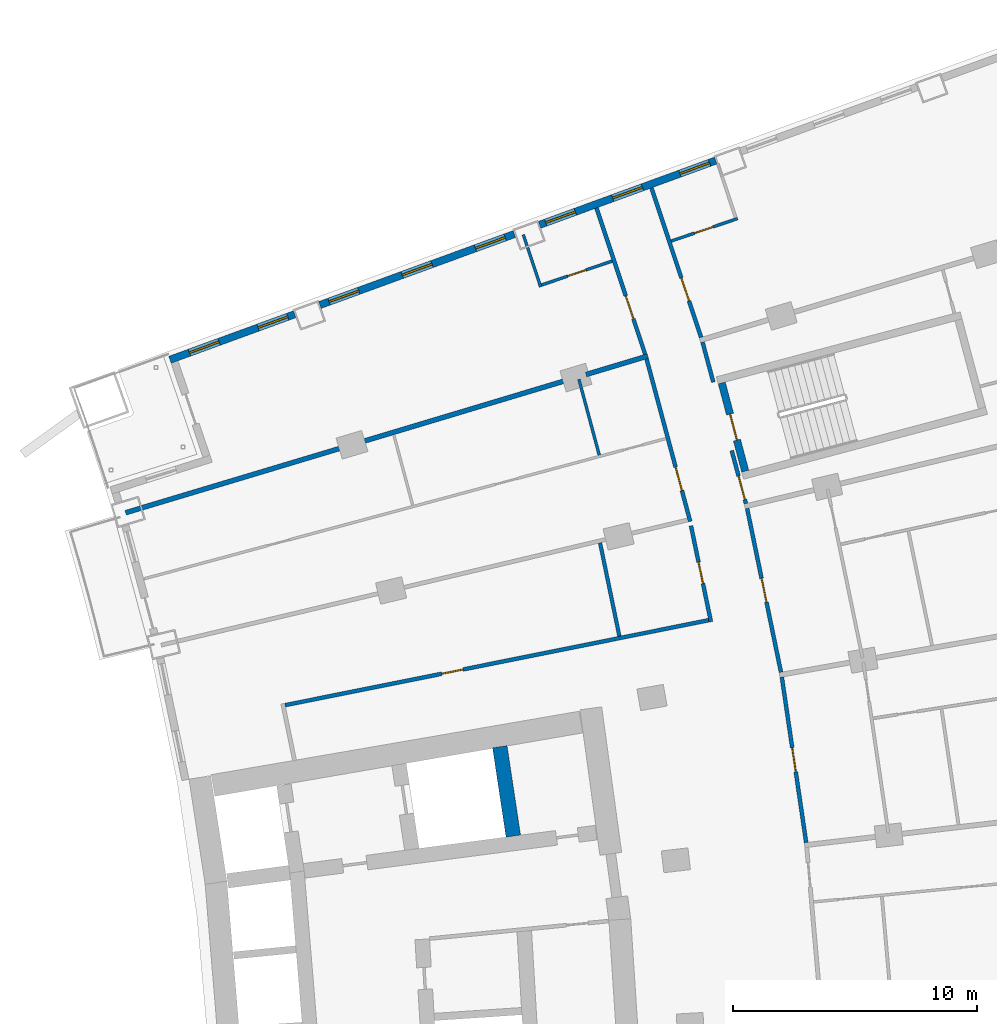
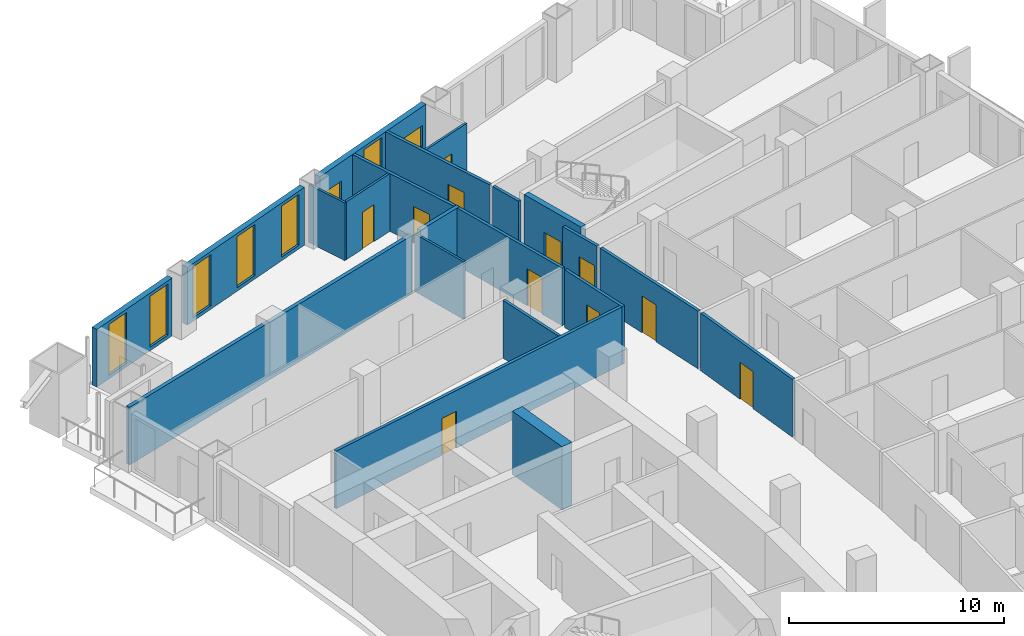
# One storey, part 19 of 25: 21 walls, 11 doors, 8 windows, 19 openings.
"""IFC4 building model written with IfcOpenShell, lengths in metres."""

from ifc_helpers import new_model, si_unit, direction, frame, frame_2d, origin, place, context, subcontext, project, spatial, rectangle, extrude, material, layer, layer_set, type_object, element, fill, save


model = new_model("IFC4")

# Units and contexts
model_context = context("Model", 3, precision=1e-05, world=origin(), true_north=direction((0.0, 1.0)))
body_context = subcontext(model_context, "Body", "Model", "MODEL_VIEW")
ifc_project = project(units=[si_unit("LENGTHUNIT", "METRE"), si_unit("AREAUNIT", "SQUARE_METRE"), si_unit("VOLUMEUNIT", "CUBIC_METRE"), si_unit("PLANEANGLEUNIT", "RADIAN"), si_unit("MASSUNIT", "GRAM", prefix="KILO")], contexts=[model_context])

# Site, building, storey
site_placement = place(None, origin())
site = spatial("IfcSite", under=ifc_project, at=site_placement, CompositionType="ELEMENT")
building_placement = place(site_placement, origin())
building = spatial("IfcBuilding", under=site, at=building_placement, Name="Alderwake Tower", CompositionType="ELEMENT")
storey_placement = place(building_placement, frame((0.0, 0.0, 68.0)))
storey = spatial("IfcBuildingStorey", under=building, at=storey_placement, Name="L16", CompositionType="ELEMENT", Elevation=68.0)

# Wall
ifc_material_1 = material(Name="Concrete C70/85", Category="concrete")
ifc_layer_1 = layer(ifc_material_1, 0.60009765625)
ifc_layer_set_1 = layer_set([ifc_layer_1], Name="Core wall spine 600 C70-85")
wall_type_1 = type_object("IfcWallType", Name="Core wall spine 600 C70-85", PredefinedType="SHEAR", material=ifc_layer_set_1)
wall_1_placement = place(storey_placement, frame((28.337646484375, 75.472412109375, 0.0), z_axis=(0.0, 0.0, 1.0), x_axis=(-0.149224787751, 0.988803298296, 0.0)))
element("IfcWall", 1, at=wall_1_placement, inside=storey, type_object=wall_type_1, Name="Core wall CW.001", PredefinedType="SHEAR", context=body_context, shape_type="SweptSolid", body=[
    extrude(rectangle(XDim=3.712158203125, YDim=0.60009765625, at=frame_2d((1.85595703125, 0.0))), origin(), (0.0, 0.0, 1.0), 3.60009765625),
])

# Wall, opening, door
ifc_material_2 = material(Name="Concrete C70/85", Category="concrete")
ifc_layer_2 = layer(ifc_material_2, 0.300048828125)
ifc_layer_set_2 = layer_set([ifc_layer_2], Name="Core wall stair enclosure 300 C70-85")
wall_type_2 = type_object("IfcWallType", Name="Core wall stair enclosure 300 C70-85", PredefinedType="SHEAR", material=ifc_layer_set_2)
wall_2_placement = place(storey_placement, frame((37.8603515625, 90.452392578125, 0.0), z_axis=(0.0, 0.0, 1.0), x_axis=(-0.257411420208, 0.966301899381, 0.0)))
wall_2 = element("IfcWall", 2, at=wall_2_placement, inside=storey, type_object=wall_type_2, Name="Core wall CW.083", PredefinedType="SHEAR", context=body_context, shape_type="SweptSolid", body=[
    extrude(rectangle(XDim=3.750244140625, YDim=0.300048828125, at=frame_2d((1.875, 0.0))), origin(), (0.0, 0.0, 1.0), 3.60009765625),
])
opening_1_placement = place(wall_2_placement, frame((1.324951171875, 0.0, 0.0)))
opening_1 = element("IfcOpeningElement", 3, at=opening_1_placement, cuts=wall_2, Name="Opening C062", PredefinedType="OPENING", context=body_context, shape_type="SweptSolid", body=[
    extrude(rectangle(XDim=1.10009765625, YDim=2.10009765625, at=frame_2d((0.550048828125, 1.050048828125))), frame((0.0, 0.159912109375, 0.0), z_axis=(0.0, -1.0, 0.0), x_axis=(1.0, 0.0, 0.0)), (0.0, 0.0, 1.0), 0.320068359375),
])
ifc_material_3 = material(Name="Steel-framed fire door leaf", Category="steel")
door_type_1 = type_object("IfcDoorType", Name="Core stair door 1100 fire-rated", OperationType="SINGLE_SWING_LEFT", PredefinedType="DOOR", material=ifc_material_3)
door_1_placement = place(opening_1_placement, origin())
door_1 = element("IfcDoor", 4, at=door_1_placement, inside=storey, type_object=door_type_1, Name="Stair door", OperationType="SINGLE_SWING_RIGHT", OverallHeight=2.10009765625, OverallWidth=1.10009765625, PredefinedType="DOOR", context=body_context, shape_type="SweptSolid", body=[
    extrude(rectangle(XDim=1.10009765625, YDim=2.10009765625, at=frame_2d((0.550048828125, 1.050048828125))), frame((0.0, 0.02490234375, 0.0), z_axis=(0.0, -1.0, 0.0), x_axis=(1.0, 0.0, 0.0)), (0.0, 0.0, 1.0), 0.050048828125),
])
fill(opening_1, door_1)

ifc_material_4 = material(Name="Gypsum board on metal studs, rated")
ifc_layer_3 = layer(ifc_material_4, 0.159912109375)
ifc_layer_set_3 = layer_set([ifc_layer_3], Name="Corridor wall 160")
wall_type_3 = type_object("IfcWallType", Name="Corridor wall 160", PredefinedType="PARTITIONING", material=ifc_layer_set_3)
wall_3_placement = place(storey_placement, frame((33.75146484375, 95.2548828125, 0.0), z_axis=(0.0, 0.0, 1.0), x_axis=(-0.315406156735, 0.948956772616, 0.0)))
wall_3 = element("IfcWall", 5, at=wall_3_placement, inside=storey, type_object=wall_type_3, Name="WL/L16/W21", PredefinedType="PARTITIONING", context=body_context, shape_type="SweptSolid", body=[
    extrude(rectangle(XDim=6.330078125, YDim=0.159912109375, at=frame_2d((3.1650390625, 0.0))), origin(), (0.0, 0.0, 1.0), 3.280029296875),
])
opening_2_placement = place(wall_3_placement, frame((1.529052734375, 0.0, 0.0)))
opening_2 = element("IfcOpeningElement", 6, at=opening_2_placement, cuts=wall_3, Name="Opening R04-U15.1", PredefinedType="OPENING", context=body_context, shape_type="SweptSolid", body=[
    extrude(rectangle(XDim=1.0, YDim=2.10009765625, at=frame_2d((0.5, 1.050048828125))), frame((0.0, 0.08984375, 0.0), z_axis=(0.0, -1.0, 0.0), x_axis=(1.0, 0.0, 0.0)), (0.0, 0.0, 1.0), 0.179931640625),
])
ifc_material_5 = material(Name="Solid timber leaf in steel frame", Category="steel")
door_type_2 = type_object("IfcDoorType", Name="Flat entrance door 1000 fire-rated", OperationType="SINGLE_SWING_LEFT", PredefinedType="DOOR", material=ifc_material_5)
door_2_placement = place(opening_2_placement, origin())
door_2 = element("IfcDoor", 7, at=door_2_placement, inside=storey, type_object=door_type_2, Name="DR/L16/U15.1", OperationType="SINGLE_SWING_LEFT", OverallHeight=2.10009765625, OverallWidth=1.0, PredefinedType="DOOR", context=body_context, shape_type="SweptSolid", body=[
    extrude(rectangle(XDim=1.0, YDim=2.10009765625, at=frame_2d((0.5, 1.050048828125))), frame((0.0, 0.02490234375, 0.0), z_axis=(0.0, -1.0, 0.0), x_axis=(1.0, 0.0, 0.0)), (0.0, 0.0, 1.0), 0.050048828125),
])
fill(opening_2, door_2)

wall_4_placement = place(storey_placement, frame((35.600830078125, 88.392578125, 0.0), z_axis=(0.0, 0.0, 1.0), x_axis=(-0.2593979597, 0.965770520622, 0.0)))
wall_4 = element("IfcWall", 8, at=wall_4_placement, inside=storey, type_object=wall_type_3, Name="WL/L16/W23", PredefinedType="PARTITIONING", context=body_context, shape_type="SweptSolid", body=[
    extrude(rectangle(XDim=6.9072265625, YDim=0.159912109375, at=frame_2d((3.45361328125, 0.0))), origin(), (0.0, 0.0, 1.0), 3.280029296875),
])
opening_3_placement = place(wall_4_placement, frame((1.311279296875, 0.0, 0.0)))
opening_3 = element("IfcOpeningElement", 9, at=opening_3_placement, cuts=wall_4, Name="Opening R04-U14.2", PredefinedType="OPENING", context=body_context, shape_type="SweptSolid", body=[
    extrude(rectangle(XDim=1.0, YDim=2.10009765625, at=frame_2d((0.5, 1.050048828125))), frame((0.0, 0.08984375, 0.0), z_axis=(0.0, -1.0, 0.0), x_axis=(1.0, 0.0, 0.0)), (0.0, 0.0, 1.0), 0.179931640625),
])
door_3_placement = place(opening_3_placement, origin())
door_3 = element("IfcDoor", 10, at=door_3_placement, inside=storey, type_object=door_type_2, Name="DR/L16/U14.2", OperationType="SINGLE_SWING_LEFT", OverallHeight=2.10009765625, OverallWidth=1.0, PredefinedType="DOOR", context=body_context, shape_type="SweptSolid", body=[
    extrude(rectangle(XDim=1.0, YDim=2.10009765625, at=frame_2d((0.5, 1.050048828125))), frame((0.0, 0.02490234375, 0.0), z_axis=(0.0, -1.0, 0.0), x_axis=(1.0, 0.0, 0.0)), (0.0, 0.0, 1.0), 0.050048828125),
])
fill(opening_3, door_3)

wall_5_placement = place(storey_placement, frame((36.451416015625, 84.272705078125, 0.0), z_axis=(0.0, 0.0, 1.0), x_axis=(-0.203258199701, 0.979125172924, 0.0)))
wall_5 = element("IfcWall", 11, at=wall_5_placement, inside=storey, type_object=wall_type_3, Name="WL/L16/W27", PredefinedType="PARTITIONING", context=body_context, shape_type="SweptSolid", body=[
    extrude(rectangle(XDim=4.020263671875, YDim=0.159912109375, at=frame_2d((2.01025390625, 0.0))), origin(), (0.0, 0.0, 1.0), 3.280029296875),
])
opening_4_placement = place(wall_5_placement, frame((1.599609375, 0.0, 0.0)))
opening_4 = element("IfcOpeningElement", 12, at=opening_4_placement, cuts=wall_5, Name="Opening R04-SBN2", PredefinedType="OPENING", context=body_context, shape_type="SweptSolid", body=[
    extrude(rectangle(XDim=0.89990234375, YDim=2.10009765625, at=frame_2d((0.449951171875, 1.050048828125))), frame((0.0, 0.08984375, 0.0), z_axis=(0.0, -1.0, 0.0), x_axis=(1.0, 0.0, 0.0)), (0.0, 0.0, 1.0), 0.179931640625),
])
ifc_material_6 = material(Name="Painted timber leaf", Category="wood")
door_type_3 = type_object("IfcDoorType", Name="Room door 900", OperationType="SINGLE_SWING_LEFT", PredefinedType="DOOR", material=ifc_material_6)
door_4_placement = place(opening_4_placement, origin())
door_4 = element("IfcDoor", 13, at=door_4_placement, inside=storey, type_object=door_type_3, Name="DR/L16/SBN2", OperationType="SINGLE_SWING_LEFT", OverallHeight=2.10009765625, OverallWidth=0.89990234375, PredefinedType="DOOR", context=body_context, shape_type="SweptSolid", body=[
    extrude(rectangle(XDim=0.89990234375, YDim=2.10009765625, at=frame_2d((0.449951171875, 1.050048828125))), frame((0.0, 0.02490234375, 0.0), z_axis=(0.0, -1.0, 0.0), x_axis=(1.0, 0.0, 0.0)), (0.0, 0.0, 1.0), 0.050048828125),
])
fill(opening_4, door_4)

wall_6_placement = place(storey_placement, frame((34.010986328125, 102.083984375, 0.0), z_axis=(0.0, 0.0, 1.0), x_axis=(0.315140606423, -0.949044992708, 0.0)))
wall_6 = element("IfcWall", 14, at=wall_6_placement, inside=storey, type_object=wall_type_3, Name="WL/L16/W29", PredefinedType="PARTITIONING", context=body_context, shape_type="SweptSolid", body=[
    extrude(rectangle(XDim=6.46875, YDim=0.159912109375, at=frame_2d((3.234375, 0.0))), origin(), (0.0, 0.0, 1.0), 3.280029296875),
])
opening_5_placement = place(wall_6_placement, frame((3.897705078125, 0.0, 0.0)))
opening_5 = element("IfcOpeningElement", 15, at=opening_5_placement, cuts=wall_6, Name="Opening R04-U04.1", PredefinedType="OPENING", context=body_context, shape_type="SweptSolid", body=[
    extrude(rectangle(XDim=1.0, YDim=2.10009765625, at=frame_2d((0.5, 1.050048828125))), frame((0.0, 0.08984375, 0.0), z_axis=(0.0, -1.0, 0.0), x_axis=(1.0, 0.0, 0.0)), (0.0, 0.0, 1.0), 0.179931640625),
])
door_5_placement = place(opening_5_placement, origin())
door_5 = element("IfcDoor", 16, at=door_5_placement, inside=storey, type_object=door_type_2, Name="DR/L16/U04.1", OperationType="SINGLE_SWING_LEFT", OverallHeight=2.10009765625, OverallWidth=1.0, PredefinedType="DOOR", context=body_context, shape_type="SweptSolid", body=[
    extrude(rectangle(XDim=1.0, YDim=2.10009765625, at=frame_2d((0.5, 1.050048828125))), frame((0.0, 0.02490234375, 0.0), z_axis=(0.0, -1.0, 0.0), x_axis=(1.0, 0.0, 0.0)), (0.0, 0.0, 1.0), 0.050048828125),
])
fill(opening_5, door_5)

wall_7_placement = place(storey_placement, frame((18.969482421875, 80.84765625, 0.0), z_axis=(0.0, 0.0, 1.0), x_axis=(0.980470914622, 0.196664144112, 0.0)))
wall_7 = element("IfcWall", 17, at=wall_7_placement, inside=storey, type_object=wall_type_3, Name="WL/L16/W31", PredefinedType="PARTITIONING", context=body_context, shape_type="SweptSolid", body=[
    extrude(rectangle(XDim=17.733642578125, YDim=0.159912109375, at=frame_2d((8.86669921875, 0.0))), origin(), (0.0, 0.0, 1.0), 3.280029296875),
])
opening_6_placement = place(wall_7_placement, frame((6.556884765625, 0.0, 0.0)))
opening_6 = element("IfcOpeningElement", 18, at=opening_6_placement, cuts=wall_7, Name="Opening R04-SBN1", PredefinedType="OPENING", context=body_context, shape_type="SweptSolid", body=[
    extrude(rectangle(XDim=0.89990234375, YDim=2.10009765625, at=frame_2d((0.449951171875, 1.050048828125))), frame((0.0, 0.08984375, 0.0), z_axis=(0.0, -1.0, 0.0), x_axis=(1.0, 0.0, 0.0)), (0.0, 0.0, 1.0), 0.179931640625),
])
door_6_placement = place(opening_6_placement, origin())
door_6 = element("IfcDoor", 19, at=door_6_placement, inside=storey, type_object=door_type_3, Name="DR/L16/SBN1", OperationType="SINGLE_SWING_LEFT", OverallHeight=2.10009765625, OverallWidth=0.89990234375, PredefinedType="DOOR", context=body_context, shape_type="SweptSolid", body=[
    extrude(rectangle(XDim=0.89990234375, YDim=2.10009765625, at=frame_2d((0.449951171875, 1.050048828125))), frame((0.0, 0.02490234375, 0.0), z_axis=(0.0, -1.0, 0.0), x_axis=(1.0, 0.0, 0.0)), (0.0, 0.0, 1.0), 0.050048828125),
])
fill(opening_6, door_6)

# Wall
wall_8_placement = place(storey_placement, frame((36.549072265625, 94.110107421875, 0.0), z_axis=(0.0, 0.0, 1.0), x_axis=(-0.259813977097, 0.965658685719, 0.0)))
element("IfcWall", 20, at=wall_8_placement, inside=storey, type_object=wall_type_3, Name="WL/L16/W32", PredefinedType="PARTITIONING", context=body_context, shape_type="SweptSolid", body=[
    extrude(rectangle(XDim=1.70166015625, YDim=0.159912109375, at=frame_2d((0.850830078125, 0.0))), origin(), (0.0, 0.0, 1.0), 3.280029296875),
])

# Wall, opening, door
wall_9_placement = place(storey_placement, frame((37.304931640625, 91.299072265625, 0.0), z_axis=(0.0, 0.0, 1.0), x_axis=(0.259946294884, -0.965623075416, 0.0)))
wall_9 = element("IfcWall", 21, at=wall_9_placement, inside=storey, type_object=wall_type_3, Name="WL/L16/W35", PredefinedType="PARTITIONING", context=body_context, shape_type="SweptSolid", body=[
    extrude(rectangle(XDim=2.255126953125, YDim=0.159912109375, at=frame_2d((1.12744140625, 0.0))), origin(), (0.0, 0.0, 1.0), 3.280029296875),
])
opening_7_placement = place(wall_9_placement, frame((1.083984375, 0.0, 0.0)))
opening_7 = element("IfcOpeningElement", 22, at=opening_7_placement, cuts=wall_9, Name="Opening R04-U02.1", PredefinedType="OPENING", context=body_context, shape_type="SweptSolid", body=[
    extrude(rectangle(XDim=1.0, YDim=2.10009765625, at=frame_2d((0.5, 1.050048828125))), frame((0.0, 0.08984375, 0.0), z_axis=(0.0, -1.0, 0.0), x_axis=(1.0, 0.0, 0.0)), (0.0, 0.0, 1.0), 0.179931640625),
])
door_7_placement = place(opening_7_placement, origin())
door_7 = element("IfcDoor", 23, at=door_7_placement, inside=storey, type_object=door_type_2, Name="DR/L16/U02.1", OperationType="SINGLE_SWING_LEFT", OverallHeight=2.10009765625, OverallWidth=1.0, PredefinedType="DOOR", context=body_context, shape_type="SweptSolid", body=[
    extrude(rectangle(XDim=1.0, YDim=2.10009765625, at=frame_2d((0.5, 1.050048828125))), frame((0.0, 0.02490234375, 0.0), z_axis=(0.0, -1.0, 0.0), x_axis=(1.0, 0.0, 0.0)), (0.0, 0.0, 1.0), 0.050048828125),
])
fill(opening_7, door_7)

wall_10_placement = place(storey_placement, frame((37.937255859375, 88.927001953125, 0.0), z_axis=(0.0, 0.0, 1.0), x_axis=(0.20241288737, -0.979300272147, 0.0)))
wall_10 = element("IfcWall", 24, at=wall_10_placement, inside=storey, type_object=wall_type_3, Name="WL/L16/W37", PredefinedType="PARTITIONING", context=body_context, shape_type="SweptSolid", body=[
    extrude(rectangle(XDim=6.870361328125, YDim=0.159912109375, at=frame_2d((3.43505859375, 0.0))), origin(), (0.0, 0.0, 1.0), 3.280029296875),
])
opening_8_placement = place(wall_10_placement, frame((2.93505859375, 0.0, 0.0)))
opening_8 = element("IfcOpeningElement", 25, at=opening_8_placement, cuts=wall_10, Name="Opening R04-U11.2", PredefinedType="OPENING", context=body_context, shape_type="SweptSolid", body=[
    extrude(rectangle(XDim=1.0, YDim=2.10009765625, at=frame_2d((0.5, 1.050048828125))), frame((0.0, 0.08984375, 0.0), z_axis=(0.0, -1.0, 0.0), x_axis=(1.0, 0.0, 0.0)), (0.0, 0.0, 1.0), 0.179931640625),
])
door_8_placement = place(opening_8_placement, origin())
door_8 = element("IfcDoor", 26, at=door_8_placement, inside=storey, type_object=door_type_2, Name="DR/L16/U11.2", OperationType="SINGLE_SWING_LEFT", OverallHeight=2.10009765625, OverallWidth=1.0, PredefinedType="DOOR", context=body_context, shape_type="SweptSolid", body=[
    extrude(rectangle(XDim=1.0, YDim=2.10009765625, at=frame_2d((0.5, 1.050048828125))), frame((0.0, 0.02490234375, 0.0), z_axis=(0.0, -1.0, 0.0), x_axis=(1.0, 0.0, 0.0)), (0.0, 0.0, 1.0), 0.050048828125),
])
fill(opening_8, door_8)

wall_11_placement = place(storey_placement, frame((39.362548828125, 82.001953125, 0.0), z_axis=(0.0, 0.0, 1.0), x_axis=(0.145565626222, -0.98934859805, 0.0)))
wall_11 = element("IfcWall", 27, at=wall_11_placement, inside=storey, type_object=wall_type_3, Name="WL/L16/W39", PredefinedType="PARTITIONING", context=body_context, shape_type="SweptSolid", body=[
    extrude(rectangle(XDim=6.8681640625, YDim=0.159912109375, at=frame_2d((3.43408203125, 0.0))), origin(), (0.0, 0.0, 1.0), 3.280029296875),
])
opening_9_placement = place(wall_11_placement, frame((2.93408203125, 0.0, 0.0)))
opening_9 = element("IfcOpeningElement", 28, at=opening_9_placement, cuts=wall_11, Name="Opening R04-U10.2", PredefinedType="OPENING", context=body_context, shape_type="SweptSolid", body=[
    extrude(rectangle(XDim=1.0, YDim=2.10009765625, at=frame_2d((0.5, 1.050048828125))), frame((0.0, 0.08984375, 0.0), z_axis=(0.0, -1.0, 0.0), x_axis=(1.0, 0.0, 0.0)), (0.0, 0.0, 1.0), 0.179931640625),
])
door_9_placement = place(opening_9_placement, origin())
door_9 = element("IfcDoor", 29, at=door_9_placement, inside=storey, type_object=door_type_2, Name="DR/L16/U10.2", OperationType="SINGLE_SWING_LEFT", OverallHeight=2.10009765625, OverallWidth=1.0, PredefinedType="DOOR", context=body_context, shape_type="SweptSolid", body=[
    extrude(rectangle(XDim=1.0, YDim=2.10009765625, at=frame_2d((0.5, 1.050048828125))), frame((0.0, 0.02490234375, 0.0), z_axis=(0.0, -1.0, 0.0), x_axis=(1.0, 0.0, 0.0)), (0.0, 0.0, 1.0), 0.050048828125),
])
fill(opening_9, door_9)

# Wall, openings, windows
ifc_material_7 = material(Name="Bronze metal cladding on lightweight framing")
ifc_layer_4 = layer(ifc_material_7, 0.300048828125)
ifc_layer_set_4 = layer_set([ifc_layer_4], Name="External wall EW2 bronze metal cladding")
wall_type_4 = type_object("IfcWallType", Name="External wall EW2 bronze metal cladding", PredefinedType="SOLIDWALL", material=ifc_layer_set_4)
wall_12_placement = place(storey_placement, frame((36.645751953125, 103.20654296875, 0.0), z_axis=(0.0, 0.0, 1.0), x_axis=(-0.93936753929, -0.342911980148, 0.0)))
wall_12 = element("IfcWall", 30, at=wall_12_placement, inside=storey, type_object=wall_type_4, Name="External wall 27", PredefinedType="SOLIDWALL", context=body_context, shape_type="SweptSolid", body=[
    extrude(rectangle(XDim=7.695556640625, YDim=0.300048828125, at=frame_2d((3.84765625, 0.0))), origin(), (0.0, 0.0, 1.0), 3.280029296875),
])
opening_10_placement = place(wall_12_placement, frame((0.264404296875, 0.0, 1.0)))
opening_10 = element("IfcOpeningElement", 31, at=opening_10_placement, cuts=wall_12, Name="Opening W2", PredefinedType="OPENING", context=body_context, shape_type="SweptSolid", body=[
    extrude(rectangle(XDim=1.300048828125, YDim=1.199951171875, at=frame_2d((0.64990234375, 0.60009765625))), frame((0.0, 0.159912109375, 0.0), z_axis=(0.0, -1.0, 0.0), x_axis=(1.0, 0.0, 0.0)), (0.0, 0.0, 1.0), 0.320068359375),
])
opening_11_placement = place(wall_12_placement, frame((3.197998046875, 0.0, 0.199951171875)))
opening_11 = element("IfcOpeningElement", 32, at=opening_11_placement, cuts=wall_12, Name="Opening W1", PredefinedType="OPENING", context=body_context, shape_type="SweptSolid", body=[
    extrude(rectangle(XDim=1.300048828125, YDim=2.89990234375, at=frame_2d((0.64990234375, 1.449951171875))), frame((0.0, 0.159912109375, 0.0), z_axis=(0.0, -1.0, 0.0), x_axis=(1.0, 0.0, 0.0)), (0.0, 0.0, 1.0), 0.320068359375),
])
opening_12_placement = place(wall_12_placement, frame((6.13134765625, 0.0, 1.0)))
opening_12 = element("IfcOpeningElement", 33, at=opening_12_placement, cuts=wall_12, Name="Opening W2", PredefinedType="OPENING", context=body_context, shape_type="SweptSolid", body=[
    extrude(rectangle(XDim=1.300048828125, YDim=1.199951171875, at=frame_2d((0.64990234375, 0.60009765625))), frame((0.0, 0.159912109375, 0.0), z_axis=(0.0, -1.0, 0.0), x_axis=(1.0, 0.0, 0.0)), (0.0, 0.0, 1.0), 0.320068359375),
])
ifc_material_8 = material(Name="Bronze tinted glass in aluminium frame", Category="aluminium")
window_type_1 = type_object("IfcWindowType", Name="Window W1 tall fixed and vent", PartitioningType="DOUBLE_PANEL_VERTICAL", PredefinedType="WINDOW", material=ifc_material_8)
window_1_placement = place(opening_11_placement, origin())
window_1 = element("IfcWindow", 34, at=window_1_placement, inside=storey, type_object=window_type_1, Name="Window W1 tall fixed and vent", OverallHeight=2.89990234375, OverallWidth=1.300048828125, PartitioningType="DOUBLE_PANEL_VERTICAL", PredefinedType="WINDOW", context=body_context, shape_type="SweptSolid", body=[
    extrude(rectangle(XDim=1.300048828125, YDim=2.89990234375, at=frame_2d((0.64990234375, 1.449951171875))), frame((0.0, 0.030029296875, 0.0), z_axis=(0.0, -1.0, 0.0), x_axis=(1.0, 0.0, 0.0)), (0.0, 0.0, 1.0), 0.06005859375),
])
fill(opening_11, window_1)
ifc_material_9 = material(Name="Bronze tinted glass in aluminium frame", Category="aluminium")
window_type_2 = type_object("IfcWindowType", Name="Window W2 kitchen and bath", PartitioningType="SINGLE_PANEL", PredefinedType="WINDOW", material=ifc_material_9)
window_2_placement = place(opening_10_placement, origin())
window_2 = element("IfcWindow", 35, at=window_2_placement, inside=storey, type_object=window_type_2, Name="Window W2 kitchen and bath", OverallHeight=1.199951171875, OverallWidth=1.300048828125, PartitioningType="SINGLE_PANEL", PredefinedType="WINDOW", context=body_context, shape_type="SweptSolid", body=[
    extrude(rectangle(XDim=1.300048828125, YDim=1.199951171875, at=frame_2d((0.64990234375, 0.60009765625))), frame((0.0, 0.030029296875, 0.0), z_axis=(0.0, -1.0, 0.0), x_axis=(1.0, 0.0, 0.0)), (0.0, 0.0, 1.0), 0.06005859375),
])
fill(opening_10, window_2)
window_3_placement = place(opening_12_placement, origin())
window_3 = element("IfcWindow", 36, at=window_3_placement, inside=storey, type_object=window_type_2, Name="Window W2 kitchen and bath", OverallHeight=1.199951171875, OverallWidth=1.300048828125, PartitioningType="SINGLE_PANEL", PredefinedType="WINDOW", context=body_context, shape_type="SweptSolid", body=[
    extrude(rectangle(XDim=1.300048828125, YDim=1.199951171875, at=frame_2d((0.64990234375, 0.60009765625))), frame((0.0, 0.030029296875, 0.0), z_axis=(0.0, -1.0, 0.0), x_axis=(1.0, 0.0, 0.0)), (0.0, 0.0, 1.0), 0.06005859375),
])
fill(opening_12, window_3)

wall_13_placement = place(storey_placement, frame((28.37890625, 100.18896484375, 0.0), z_axis=(0.0, 0.0, 1.0), x_axis=(-0.939369809957, -0.342905759856, 0.0)))
wall_13 = element("IfcWall", 37, at=wall_13_placement, inside=storey, type_object=wall_type_4, Name="External wall 28", PredefinedType="SOLIDWALL", context=body_context, shape_type="SweptSolid", body=[
    extrude(rectangle(XDim=8.495361328125, YDim=0.300048828125, at=frame_2d((4.24755859375, 0.0))), origin(), (0.0, 0.0, 1.0), 3.280029296875),
])
opening_13_placement = place(wall_13_placement, frame((0.397705078125, 0.0, 0.199951171875)))
opening_13 = element("IfcOpeningElement", 38, at=opening_13_placement, cuts=wall_13, Name="Opening W1", PredefinedType="OPENING", context=body_context, shape_type="SweptSolid", body=[
    extrude(rectangle(XDim=1.300048828125, YDim=2.89990234375, at=frame_2d((0.64990234375, 1.449951171875))), frame((0.0, 0.159912109375, 0.0), z_axis=(0.0, -1.0, 0.0), x_axis=(1.0, 0.0, 0.0)), (0.0, 0.0, 1.0), 0.320068359375),
])
opening_14_placement = place(wall_13_placement, frame((3.59765625, 0.0, 0.199951171875)))
opening_14 = element("IfcOpeningElement", 39, at=opening_14_placement, cuts=wall_13, Name="Opening W1", PredefinedType="OPENING", context=body_context, shape_type="SweptSolid", body=[
    extrude(rectangle(XDim=1.300048828125, YDim=2.89990234375, at=frame_2d((0.64990234375, 1.449951171875))), frame((0.0, 0.159912109375, 0.0), z_axis=(0.0, -1.0, 0.0), x_axis=(1.0, 0.0, 0.0)), (0.0, 0.0, 1.0), 0.320068359375),
])
opening_15_placement = place(wall_13_placement, frame((6.7978515625, 0.0, 0.199951171875)))
opening_15 = element("IfcOpeningElement", 40, at=opening_15_placement, cuts=wall_13, Name="Opening W1", PredefinedType="OPENING", context=body_context, shape_type="SweptSolid", body=[
    extrude(rectangle(XDim=1.300048828125, YDim=2.89990234375, at=frame_2d((0.64990234375, 1.449951171875))), frame((0.0, 0.159912109375, 0.0), z_axis=(0.0, -1.0, 0.0), x_axis=(1.0, 0.0, 0.0)), (0.0, 0.0, 1.0), 0.320068359375),
])
window_4_placement = place(opening_13_placement, origin())
window_4 = element("IfcWindow", 41, at=window_4_placement, inside=storey, type_object=window_type_1, Name="Window W1 tall fixed and vent", OverallHeight=2.89990234375, OverallWidth=1.300048828125, PartitioningType="DOUBLE_PANEL_VERTICAL", PredefinedType="WINDOW", context=body_context, shape_type="SweptSolid", body=[
    extrude(rectangle(XDim=1.300048828125, YDim=2.89990234375, at=frame_2d((0.64990234375, 1.449951171875))), frame((0.0, 0.030029296875, 0.0), z_axis=(0.0, -1.0, 0.0), x_axis=(1.0, 0.0, 0.0)), (0.0, 0.0, 1.0), 0.06005859375),
])
fill(opening_13, window_4)
window_5_placement = place(opening_14_placement, origin())
window_5 = element("IfcWindow", 42, at=window_5_placement, inside=storey, type_object=window_type_1, Name="Window W1 tall fixed and vent", OverallHeight=2.89990234375, OverallWidth=1.300048828125, PartitioningType="DOUBLE_PANEL_VERTICAL", PredefinedType="WINDOW", context=body_context, shape_type="SweptSolid", body=[
    extrude(rectangle(XDim=1.300048828125, YDim=2.89990234375, at=frame_2d((0.64990234375, 1.449951171875))), frame((0.0, 0.030029296875, 0.0), z_axis=(0.0, -1.0, 0.0), x_axis=(1.0, 0.0, 0.0)), (0.0, 0.0, 1.0), 0.06005859375),
])
fill(opening_14, window_5)
window_6_placement = place(opening_15_placement, origin())
window_6 = element("IfcWindow", 43, at=window_6_placement, inside=storey, type_object=window_type_1, Name="Window W1 tall fixed and vent", OverallHeight=2.89990234375, OverallWidth=1.300048828125, PartitioningType="DOUBLE_PANEL_VERTICAL", PredefinedType="WINDOW", context=body_context, shape_type="SweptSolid", body=[
    extrude(rectangle(XDim=1.300048828125, YDim=2.89990234375, at=frame_2d((0.64990234375, 1.449951171875))), frame((0.0, 0.030029296875, 0.0), z_axis=(0.0, -1.0, 0.0), x_axis=(1.0, 0.0, 0.0)), (0.0, 0.0, 1.0), 0.06005859375),
])
fill(opening_15, window_6)

wall_14_placement = place(storey_placement, frame((19.360595703125, 96.89697265625, 0.0), z_axis=(0.0, 0.0, 1.0), x_axis=(-0.939360985368, -0.342929933321, 0.0)))
wall_14 = element("IfcWall", 44, at=wall_14_placement, inside=storey, type_object=wall_type_4, Name="External wall 29", PredefinedType="SOLIDWALL", context=body_context, shape_type="SweptSolid", body=[
    extrude(rectangle(XDim=5.448974609375, YDim=0.300048828125, at=frame_2d((2.724609375, 0.0))), origin(), (0.0, 0.0, 1.0), 3.280029296875),
])
opening_16_placement = place(wall_14_placement, frame((0.2978515625, 0.0, 0.199951171875)))
opening_16 = element("IfcOpeningElement", 45, at=opening_16_placement, cuts=wall_14, Name="Opening W1", PredefinedType="OPENING", context=body_context, shape_type="SweptSolid", body=[
    extrude(rectangle(XDim=1.300048828125, YDim=2.89990234375, at=frame_2d((0.64990234375, 1.449951171875))), frame((0.0, 0.159912109375, 0.0), z_axis=(0.0, -1.0, 0.0), x_axis=(1.0, 0.0, 0.0)), (0.0, 0.0, 1.0), 0.320068359375),
])
opening_17_placement = place(wall_14_placement, frame((3.298583984375, 0.0, 0.199951171875)))
opening_17 = element("IfcOpeningElement", 46, at=opening_17_placement, cuts=wall_14, Name="Opening W1", PredefinedType="OPENING", context=body_context, shape_type="SweptSolid", body=[
    extrude(rectangle(XDim=1.300048828125, YDim=2.89990234375, at=frame_2d((0.64990234375, 1.449951171875))), frame((0.0, 0.159912109375, 0.0), z_axis=(0.0, -1.0, 0.0), x_axis=(1.0, 0.0, 0.0)), (0.0, 0.0, 1.0), 0.320068359375),
])
window_7_placement = place(opening_16_placement, origin())
window_7 = element("IfcWindow", 47, at=window_7_placement, inside=storey, type_object=window_type_1, Name="Window W1 tall fixed and vent", OverallHeight=2.89990234375, OverallWidth=1.300048828125, PartitioningType="DOUBLE_PANEL_VERTICAL", PredefinedType="WINDOW", context=body_context, shape_type="SweptSolid", body=[
    extrude(rectangle(XDim=1.300048828125, YDim=2.89990234375, at=frame_2d((0.64990234375, 1.449951171875))), frame((0.0, 0.030029296875, 0.0), z_axis=(0.0, -1.0, 0.0), x_axis=(1.0, 0.0, 0.0)), (0.0, 0.0, 1.0), 0.06005859375),
])
fill(opening_16, window_7)
window_8_placement = place(opening_17_placement, origin())
window_8 = element("IfcWindow", 48, at=window_8_placement, inside=storey, type_object=window_type_1, Name="Window W1 tall fixed and vent", OverallHeight=2.89990234375, OverallWidth=1.300048828125, PartitioningType="DOUBLE_PANEL_VERTICAL", PredefinedType="WINDOW", context=body_context, shape_type="SweptSolid", body=[
    extrude(rectangle(XDim=1.300048828125, YDim=2.89990234375, at=frame_2d((0.64990234375, 1.449951171875))), frame((0.0, 0.030029296875, 0.0), z_axis=(0.0, -1.0, 0.0), x_axis=(1.0, 0.0, 0.0)), (0.0, 0.0, 1.0), 0.06005859375),
])
fill(opening_17, window_8)

# Walls
ifc_material_10 = material(Name="Dense block masonry wall", Category="masonry")
ifc_layer_5 = layer(ifc_material_10, 0.199951171875)
ifc_layer_set_5 = layer_set([ifc_layer_5], Name="Party wall 200")
wall_type_5 = type_object("IfcWallType", Name="Party wall 200", PredefinedType="SOLIDWALL", material=ifc_layer_set_5)
wall_15_placement = place(storey_placement, frame((30.812744140625, 94.270751953125, 0.0), z_axis=(0.0, 0.0, 1.0), x_axis=(-0.957756965565, -0.287578849904, 0.0)))
element("IfcWall", 49, at=wall_15_placement, inside=storey, type_object=wall_type_5, Name="WL/L16/W01", PredefinedType="SOLIDWALL", context=body_context, shape_type="SweptSolid", body=[
    extrude(rectangle(XDim=19.20068359375, YDim=0.199951171875, at=frame_2d((9.600341796875, 0.0))), origin(), (0.0, 0.0, 1.0), 3.280029296875),
])
wall_16_placement = place(storey_placement, frame((33.859619140625, 95.18310546875, 0.0), z_axis=(0.0, 0.0, 1.0), x_axis=(-0.957762803886, -0.287559405153, 0.0)))
element("IfcWall", 50, at=wall_16_placement, inside=storey, type_object=wall_type_5, Name="WL/L16/W04", PredefinedType="SOLIDWALL", context=body_context, shape_type="SweptSolid", body=[
    extrude(rectangle(XDim=2.647216796875, YDim=0.199951171875, at=frame_2d((1.32373046875, 0.0))), origin(), (0.0, 0.0, 1.0), 3.280029296875),
])
ifc_material_11 = material(Name="Gypsum shaft wall system, rated")
ifc_layer_6 = layer(ifc_material_11, 0.14990234375)
ifc_layer_set_6 = layer_set([ifc_layer_6], Name="Riser and shaft wall 150")
wall_type_6 = type_object("IfcWallType", Name="Riser and shaft wall 150", PredefinedType="PARTITIONING", material=ifc_layer_set_6)
wall_17_placement = place(storey_placement, frame((32.69287109375, 83.682373046875, 0.0), z_axis=(0.0, 0.0, 1.0), x_axis=(-0.20266545775, 0.979248034073, 0.0)))
element("IfcWall", 51, at=wall_17_placement, inside=storey, type_object=wall_type_6, Name="WL/L16/W16", PredefinedType="PARTITIONING", context=body_context, shape_type="SweptSolid", body=[
    extrude(rectangle(XDim=3.911376953125, YDim=0.14990234375, at=frame_2d((1.95556640625, 0.0))), origin(), (0.0, 0.0, 1.0), 3.280029296875),
])
ifc_material_12 = material(Name="Moisture resistant gypsum board on metal studs")
ifc_layer_7 = layer(ifc_material_12, 0.1201171875)
ifc_layer_set_7 = layer_set([ifc_layer_7], Name="Wet room partition 120")
wall_type_7 = type_object("IfcWallType", Name="Wet room partition 120", PredefinedType="PARTITIONING", material=ifc_layer_set_7)
wall_18_placement = place(storey_placement, frame((28.7490234375, 100.1640625, 0.0), z_axis=(0.0, 0.0, 1.0), x_axis=(0.315416394236, -0.948953369901, 0.0)))
element("IfcWall", 52, at=wall_18_placement, inside=storey, type_object=wall_type_7, Name="WL/L16/W44", PredefinedType="PARTITIONING", context=body_context, shape_type="SweptSolid", body=[
    extrude(rectangle(XDim=2.257080078125, YDim=0.1201171875, at=frame_2d((1.12841796875, 0.0))), origin(), (0.0, 0.0, 1.0), 3.280029296875),
])

# Wall, opening, door
wall_19_placement = place(storey_placement, frame((29.498779296875, 98.09814453125, 0.0), z_axis=(0.0, 0.0, 1.0), x_axis=(0.947164130145, 0.320749295505, 0.0)))
wall_19 = element("IfcWall", 53, at=wall_19_placement, inside=storey, type_object=wall_type_7, Name="WL/L16/W46", PredefinedType="PARTITIONING", context=body_context, shape_type="SweptSolid", body=[
    extrude(rectangle(XDim=3.05908203125, YDim=0.1201171875, at=frame_2d((1.529541015625, 0.0))), origin(), (0.0, 0.0, 1.0), 3.280029296875),
])
opening_18_placement = place(wall_19_placement, frame((1.12939453125, 0.0, 0.0)))
opening_18 = element("IfcOpeningElement", 54, at=opening_18_placement, cuts=wall_19, Name="Opening R04-U15.2", PredefinedType="OPENING", context=body_context, shape_type="SweptSolid", body=[
    extrude(rectangle(XDim=0.800048828125, YDim=2.10009765625, at=frame_2d((0.39990234375, 1.050048828125))), frame((0.0, 0.070068359375, 0.0), z_axis=(0.0, -1.0, 0.0), x_axis=(1.0, 0.0, 0.0)), (0.0, 0.0, 1.0), 0.14013671875),
])
ifc_material_13 = material(Name="Painted timber leaf", Category="wood")
door_type_4 = type_object("IfcDoorType", Name="Bathroom door 800", OperationType="SINGLE_SWING_LEFT", PredefinedType="DOOR", material=ifc_material_13)
door_10_placement = place(opening_18_placement, origin())
door_10 = element("IfcDoor", 55, at=door_10_placement, inside=storey, type_object=door_type_4, Name="DR/L16/U15.2", OperationType="SINGLE_SWING_LEFT", OverallHeight=2.10009765625, OverallWidth=0.800048828125, PredefinedType="DOOR", context=body_context, shape_type="SweptSolid", body=[
    extrude(rectangle(XDim=0.800048828125, YDim=2.10009765625, at=frame_2d((0.39990234375, 1.050048828125))), frame((0.0, 0.02490234375, 0.0), z_axis=(0.0, -1.0, 0.0), x_axis=(1.0, 0.0, 0.0)), (0.0, 0.0, 1.0), 0.050048828125),
])
fill(opening_18, door_10)

# Wall
wall_20_placement = place(storey_placement, frame((31.031005859375, 94.2294921875, 0.0), z_axis=(0.0, 0.0, 1.0), x_axis=(0.259149206489, -0.96583729933, 0.0)))
element("IfcWall", 56, at=wall_20_placement, inside=storey, type_object=wall_type_7, Name="WL/L16/W48", PredefinedType="PARTITIONING", context=body_context, shape_type="SweptSolid", body=[
    extrude(rectangle(XDim=3.2294921875, YDim=0.1201171875, at=frame_2d((1.61474609375, 0.0))), origin(), (0.0, 0.0, 1.0), 3.280029296875),
])

# Wall, opening, door
wall_21_placement = place(storey_placement, frame((34.81884765625, 99.901611328125, 0.0), z_axis=(0.0, 0.0, 1.0), x_axis=(0.947119631015, 0.32088067026, 0.0)))
wall_21 = element("IfcWall", 57, at=wall_21_placement, inside=storey, type_object=wall_type_7, Name="WL/L16/W50", PredefinedType="PARTITIONING", context=body_context, shape_type="SweptSolid", body=[
    extrude(rectangle(XDim=2.878173828125, YDim=0.1201171875, at=frame_2d((1.43896484375, 0.0))), origin(), (0.0, 0.0, 1.0), 3.280029296875),
])
opening_19_placement = place(wall_21_placement, frame((1.009765625, 0.0, 0.0)))
opening_19 = element("IfcOpeningElement", 58, at=opening_19_placement, cuts=wall_21, Name="Opening R04-U04.2", PredefinedType="OPENING", context=body_context, shape_type="SweptSolid", body=[
    extrude(rectangle(XDim=0.800048828125, YDim=2.10009765625, at=frame_2d((0.39990234375, 1.050048828125))), frame((0.0, 0.070068359375, 0.0), z_axis=(0.0, -1.0, 0.0), x_axis=(1.0, 0.0, 0.0)), (0.0, 0.0, 1.0), 0.14013671875),
])
door_11_placement = place(opening_19_placement, origin())
door_11 = element("IfcDoor", 59, at=door_11_placement, inside=storey, type_object=door_type_4, Name="DR/L16/U04.2", OperationType="SINGLE_SWING_LEFT", OverallHeight=2.10009765625, OverallWidth=0.800048828125, PredefinedType="DOOR", context=body_context, shape_type="SweptSolid", body=[
    extrude(rectangle(XDim=0.800048828125, YDim=2.10009765625, at=frame_2d((0.39990234375, 1.050048828125))), frame((0.0, 0.02490234375, 0.0), z_axis=(0.0, -1.0, 0.0), x_axis=(1.0, 0.0, 0.0)), (0.0, 0.0, 1.0), 0.050048828125),
])
fill(opening_19, door_11)

save(model, "model.ifc")
